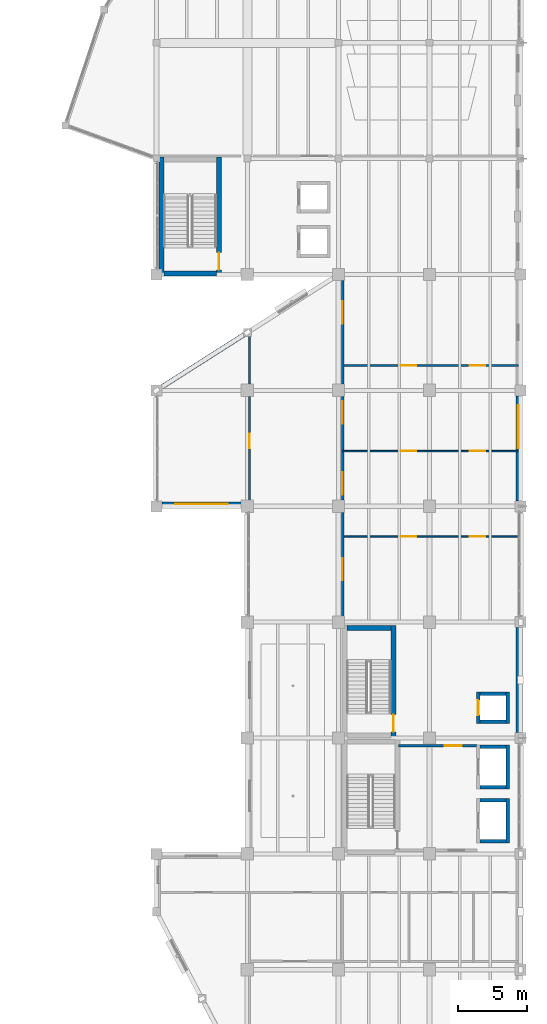
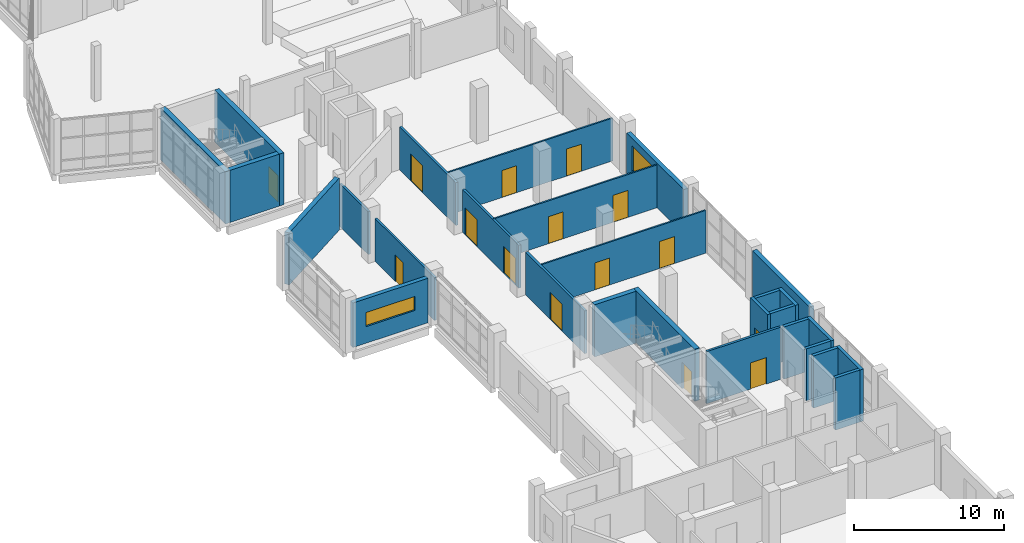
# One storey, part 52 of 76: 28 walls, 15 doors, 2 windows, 17 openings.
"""IFC4 building model written with IfcOpenShell, lengths in metres."""

import ifcopenshell
import ifcopenshell.guid

model = None  # the IFC model being written
_history = None  # IfcOwnerHistory: only IFC2X3 demands one
_inside = {}  # id of a spatial element -> (the spatial element, [elements in it])
_under = {}  # id of a project, library or spatial element -> (it, [spatial elements below it])
_declared = {}  # id of a project -> (the project, [libraries it declares])
_typed = {}  # id of a type object -> (the type object, [elements of that type])
_made_of = {}  # id of a material, layer set ... -> (it, [elements and type objects made of it])


def new_model(schema):
    """Start an empty IFC model of exactly this schema.

    Asked for "IFC4X3", IfcOpenShell would pick the latest addendum, in which some entities
    have other attributes; the version numbers below select the first issue.
    IFC2X3 requires an IfcOwnerHistory on every rooted entity: one is made here for all.
    """
    global model, _history
    if schema == "IFC4X3":
        model = ifcopenshell.file(schema_version=(4, 3, 0, 0))
    else:
        model = ifcopenshell.file(schema=schema)
    _inside.clear()
    _under.clear()
    _declared.clear()
    _typed.clear()
    _made_of.clear()
    _history = None
    if model.schema == "IFC2X3":
        org = make("IfcOrganization", Name="unknown")
        user = make(
            "IfcPersonAndOrganization",
            ThePerson=make("IfcPerson", FamilyName="unknown"),
            TheOrganization=org,
        )
        app = make(
            "IfcApplication",
            ApplicationDeveloper=org,
            Version="unknown",
            ApplicationFullName="unknown",
            ApplicationIdentifier="unknown",
        )
        _history = make(
            "IfcOwnerHistory",
            OwningUser=user,
            OwningApplication=app,
            ChangeAction="ADDED",
            CreationDate=0,
        )
    return model


def make(cls, **values):
    """One entity of the class cls with the attributes given. An attribute that is None is left unset."""
    return model.create_entity(
        cls, **{name: value for name, value in values.items() if value is not None}
    )


def rooted(cls, **values):
    """An entity with a GlobalId (a new one), such as an element, a storey or a relation."""
    return make(cls, GlobalId=ifcopenshell.guid.new(), OwnerHistory=_history, **values)


def si_unit(unit_type, name, prefix=None):
    """IfcSIUnit, for example si_unit("LENGTHUNIT", "METRE", prefix="MILLI")."""
    return make("IfcSIUnit", UnitType=unit_type, Prefix=prefix, Name=name)


def assignment(units):
    """IfcUnitAssignment: the units of a project."""
    return None if units is None else make("IfcUnitAssignment", Units=units)


def point(xyz):
    """IfcCartesianPoint."""
    return None if xyz is None else make("IfcCartesianPoint", Coordinates=xyz)


def direction(xyz):
    """IfcDirection."""
    return None if xyz is None else make("IfcDirection", DirectionRatios=xyz)


def frame(location, z_axis=None, x_axis=None):
    """IfcAxis2Placement3D, a coordinate frame: its origin and axes. An axis left out is left unset."""
    return make(
        "IfcAxis2Placement3D",
        Location=point(location),
        Axis=direction(z_axis),
        RefDirection=direction(x_axis),
    )


def frame_2d(location, x_axis=None):
    """IfcAxis2Placement2D, a coordinate frame in the plane: its origin and x axis."""
    return make(
        "IfcAxis2Placement2D", Location=point(location), RefDirection=direction(x_axis)
    )


def origin():
    """The frame at (0, 0, 0) with its axes left unset."""
    return frame((0.0, 0.0, 0.0))


def place(relative_to, where):
    """IfcLocalPlacement: puts the frame where relative to a parent placement (None: the world)."""
    return make(
        "IfcLocalPlacement", PlacementRelTo=relative_to, RelativePlacement=where
    )


def context(
    kind, dimensions, precision=None, world=None, true_north=None, identifier=None
):
    """IfcGeometricRepresentationContext, for example the 3D "Model" context."""
    return make(
        "IfcGeometricRepresentationContext",
        ContextIdentifier=identifier,
        ContextType=kind,
        CoordinateSpaceDimension=dimensions,
        Precision=precision,
        WorldCoordinateSystem=world,
        TrueNorth=true_north,
    )


def subcontext(parent, identifier, kind, view, scale=None):
    """IfcGeometricRepresentationSubContext, for example "Body" below "Model"."""
    return make(
        "IfcGeometricRepresentationSubContext",
        ContextIdentifier=identifier,
        ContextType=kind,
        ParentContext=parent,
        TargetScale=scale,
        TargetView=view,
    )


def project(units=None, contexts=None):
    """IfcProject with its units and contexts."""
    return rooted(
        "IfcProject",
        Name="project",
        RepresentationContexts=contexts,
        UnitsInContext=assignment(units),
    )


def spatial(cls, under=None, at=None, **own):
    """A site, building, storey or space (cls), placed at a placement, below another one or the project."""
    s = rooted(cls, ObjectPlacement=at, **own)
    if under is not None:
        _under.setdefault(under.id(), (under, []))[1].append(s)
    return s


def profile(cls, at=None, kind="AREA", **sizes):
    """A parametric profile (cls). Its sizes go by their IFC names, for example OverallWidth=200.0."""
    return make(cls, ProfileType=kind, Position=at, **sizes)


def rectangle(**sizes):
    """IfcRectangleProfileDef."""
    return profile("IfcRectangleProfileDef", **sizes)


def extrude(swept, where, along, depth):
    """IfcExtrudedAreaSolid: the profile swept, set in the frame where, extruded along a direction by depth."""
    return make(
        "IfcExtrudedAreaSolid",
        SweptArea=swept,
        Position=where,
        ExtrudedDirection=direction(along),
        Depth=depth,
    )


def shape(context_of_items, identifier, shape_type, items):
    """IfcShapeRepresentation: the items that make up one representation, for example the "Body"."""
    return make(
        "IfcShapeRepresentation",
        ContextOfItems=context_of_items,
        RepresentationIdentifier=identifier,
        RepresentationType=shape_type,
        Items=items,
    )


def material(Name=None, Category=None):
    """IfcMaterial."""
    return make("IfcMaterial", Name=Name, Category=Category)


def layer(
    of_material, thickness, ventilated=None, Name=None, Category=None, Priority=None
):
    """IfcMaterialLayer: one layer of a wall or slab, of a material (None: an air gap)."""
    return make(
        "IfcMaterialLayer",
        Material=of_material,
        LayerThickness=thickness,
        IsVentilated=ventilated,
        Name=Name,
        Category=Category,
        Priority=Priority,
    )


def layer_set(layers, Name=None):
    """IfcMaterialLayerSet."""
    return make("IfcMaterialLayerSet", MaterialLayers=layers, LayerSetName=Name)


def made_of(thing, what):
    """Note that an element or type object is made of a material, layer set ...; save() writes the relation."""
    if what is not None:
        _made_of.setdefault(what.id(), (what, []))[1].append(thing)
    return thing


def type_object(cls, material=None, **own):
    """A type object (cls), such as IfcWallType, which elements share."""
    return made_of(rooted(cls, **own), material)


def element(
    cls,
    number,
    at=None,
    inside=None,
    cuts=None,
    type_object=None,
    material=None,
    context=None,
    identifier="Body",
    shape_type=None,
    held_by="IfcProductDefinitionShape",
    body=None,
    shapes=None,
    **own,
):
    """One element of the class cls, such as IfcWall. Its Tag is "e" and its number.

    at: its placement. inside: the storey or other place that contains it. cuts: it is an
    opening in that element (IfcRelVoidsElement). A single representation is given by context,
    identifier, shape_type and body (its items); several are given by shapes. held_by: the class
    of the entity that holds the representations. save() writes the other relations.
    """
    e = rooted(cls, Tag="e%d" % number, ObjectPlacement=at, **own)
    if body is not None:
        shapes = [shape(context, identifier, shape_type, body)]
    if shapes is not None:
        e.Representation = make(held_by, Representations=shapes)
    if inside is not None:
        _inside.setdefault(inside.id(), (inside, []))[1].append(e)
    if cuts is not None:
        rooted(
            "IfcRelVoidsElement", RelatingBuildingElement=cuts, RelatedOpeningElement=e
        )
    if type_object is not None:
        _typed.setdefault(type_object.id(), (type_object, []))[1].append(e)
    return made_of(e, material)


def fill(opening, filler):
    """IfcRelFillsElement: the door or window that sits in an opening."""
    return rooted(
        "IfcRelFillsElement",
        RelatingOpeningElement=opening,
        RelatedBuildingElement=filler,
    )


def aggregate(whole, parts):
    """IfcRelAggregates: a whole, such as a stair, and the parts it consists of."""
    return rooted("IfcRelAggregates", RelatingObject=whole, RelatedObjects=parts)


def save(model, path):
    """Write the relations noted so far, then the file.

    IfcRelAggregates (storeys below a building ...), IfcRelContainedInSpatialStructure (elements
    in a storey), IfcRelDefinesByType, IfcRelAssociatesMaterial and IfcRelDeclares: one each for
    every whole, place, type object, material and project.
    """
    for whole, parts in _under.values():
        aggregate(whole, parts)
    for where, things in _inside.values():
        rooted(
            "IfcRelContainedInSpatialStructure",
            RelatedElements=things,
            RelatingStructure=where,
        )
    for kind, things in _typed.values():
        rooted("IfcRelDefinesByType", RelatedObjects=things, RelatingType=kind)
    for what, things in _made_of.values():
        rooted("IfcRelAssociatesMaterial", RelatedObjects=things, RelatingMaterial=what)
    for by, libraries in _declared.values():
        rooted("IfcRelDeclares", RelatingContext=by, RelatedDefinitions=libraries)
    model.write(path)


model = new_model("IFC4")

# Units and contexts
model_context = context("Model", 3, precision=1e-05, world=origin(), true_north=direction((0.0, 1.0)))
body_context = subcontext(model_context, "Body", "Model", "MODEL_VIEW")
ifc_project = project(units=[si_unit("LENGTHUNIT", "METRE"), si_unit("AREAUNIT", "SQUARE_METRE"), si_unit("VOLUMEUNIT", "CUBIC_METRE"), si_unit("PLANEANGLEUNIT", "RADIAN"), si_unit("MASSUNIT", "GRAM", prefix="KILO")], contexts=[model_context])

# Site, building, storey
site_placement = place(None, origin())
site = spatial("IfcSite", under=ifc_project, at=site_placement, CompositionType="ELEMENT")
building_placement = place(site_placement, origin())
building = spatial("IfcBuilding", under=site, at=building_placement, Name="Qaldarim Faculty of Natural and Applied Sciences", CompositionType="ELEMENT")
storey_placement = place(building_placement, frame((0.0, 0.0, 9.89990234375)))
storey = spatial("IfcBuildingStorey", under=building, at=storey_placement, Name="L02", CompositionType="ELEMENT", Elevation=9.89990234375)

# Wall, openings, doors
ifc_material_1 = material(Name="Painted gypsum partition board")
ifc_layer_1 = layer(ifc_material_1, 0.1201171875)
ifc_layer_set_1 = layer_set([ifc_layer_1], Name="Painted gypsum partition board")
wall_type_1 = type_object("IfcWallType", Name="AcousticPartition-120", PredefinedType="PARTITIONING", material=ifc_layer_set_1)
wall_1_placement = place(storey_placement, frame((165.300048828125, 39.800048828125, 0.0), z_axis=(0.0, 0.0, 1.0), x_axis=(1.0, 0.0, 0.0)))
wall_1 = element("IfcWall", 1, at=wall_1_placement, inside=storey, type_object=wall_type_1, Name="Interior partition PRT-L02-V5-SUB-1", PredefinedType="PARTITIONING", context=body_context, shape_type="SweptSolid", body=[
    extrude(rectangle(XDim=12.75, YDim=0.1201171875, at=frame_2d((6.375, 0.0))), origin(), (0.0, 0.0, 1.0), 3.489990234375),
])
opening_1_placement = place(wall_1_placement, frame((4.199951171875, 0.0, 0.0)))
opening_1 = element("IfcOpeningElement", 2, at=opening_1_placement, cuts=wall_1, Name="Opening ID09", PredefinedType="OPENING", context=body_context, shape_type="SweptSolid", body=[
    extrude(rectangle(XDim=1.14990234375, YDim=2.199951171875, at=frame_2d((0.574951171875, 1.10009765625))), frame((0.0, 0.070068359375, 0.0), z_axis=(0.0, -1.0, 0.0), x_axis=(1.0, 0.0, 0.0)), (0.0, 0.0, 1.0), 0.14013671875),
])
opening_2_placement = place(wall_1_placement, frame((9.199951171875, 0.0, 0.0)))
opening_2 = element("IfcOpeningElement", 3, at=opening_2_placement, cuts=wall_1, Name="Opening ID09", PredefinedType="OPENING", context=body_context, shape_type="SweptSolid", body=[
    extrude(rectangle(XDim=1.14990234375, YDim=2.199951171875, at=frame_2d((0.574951171875, 1.10009765625))), frame((0.0, 0.070068359375, 0.0), z_axis=(0.0, -1.0, 0.0), x_axis=(1.0, 0.0, 0.0)), (0.0, 0.0, 1.0), 0.14013671875),
])
ifc_material_2 = material(Name="Architectural stainless steel 316", Category="steel")
door_type_1 = type_object("IfcDoorType", Name="CleanroomAirlockDoor-1150x2200", OperationType="NOTDEFINED", PredefinedType="DOOR", material=ifc_material_2)
door_1_placement = place(opening_1_placement, origin())
door_1 = element("IfcDoor", 4, at=door_1_placement, inside=storey, type_object=door_type_1, Name="Interior door D-L02-320", OperationType="SINGLE_SWING_LEFT", OverallHeight=2.199951171875, OverallWidth=1.14990234375, PredefinedType="DOOR", context=body_context, shape_type="SweptSolid", body=[
    extrude(rectangle(XDim=1.14990234375, YDim=2.199951171875, at=frame_2d((0.574951171875, 1.10009765625))), frame((0.0, 0.02490234375, 0.0), z_axis=(0.0, -1.0, 0.0), x_axis=(1.0, 0.0, 0.0)), (0.0, 0.0, 1.0), 0.050048828125),
])
fill(opening_1, door_1)
door_2_placement = place(opening_2_placement, origin())
door_2 = element("IfcDoor", 5, at=door_2_placement, inside=storey, type_object=door_type_1, Name="Interior door D-L02-321", OperationType="SINGLE_SWING_RIGHT", OverallHeight=2.199951171875, OverallWidth=1.14990234375, PredefinedType="DOOR", context=body_context, shape_type="SweptSolid", body=[
    extrude(rectangle(XDim=1.14990234375, YDim=2.199951171875, at=frame_2d((0.574951171875, 1.10009765625))), frame((0.0, 0.02490234375, 0.0), z_axis=(0.0, -1.0, 0.0), x_axis=(1.0, 0.0, 0.0)), (0.0, 0.0, 1.0), 0.050048828125),
])
fill(opening_2, door_2)

wall_2_placement = place(storey_placement, frame((165.300048828125, 46.0, 0.0), z_axis=(0.0, 0.0, 1.0), x_axis=(1.0, 0.0, 0.0)))
wall_2 = element("IfcWall", 6, at=wall_2_placement, inside=storey, type_object=wall_type_1, Name="Interior partition PRT-L02-V5-SUB-2", PredefinedType="PARTITIONING", context=body_context, shape_type="SweptSolid", body=[
    extrude(rectangle(XDim=12.75, YDim=0.1201171875, at=frame_2d((6.375, 0.0))), origin(), (0.0, 0.0, 1.0), 3.489990234375),
])
opening_3_placement = place(wall_2_placement, frame((4.199951171875, 0.0, 0.0)))
opening_3 = element("IfcOpeningElement", 7, at=opening_3_placement, cuts=wall_2, Name="Opening ID09", PredefinedType="OPENING", context=body_context, shape_type="SweptSolid", body=[
    extrude(rectangle(XDim=1.14990234375, YDim=2.199951171875, at=frame_2d((0.574951171875, 1.10009765625))), frame((0.0, 0.070068359375, 0.0), z_axis=(0.0, -1.0, 0.0), x_axis=(1.0, 0.0, 0.0)), (0.0, 0.0, 1.0), 0.14013671875),
])
opening_4_placement = place(wall_2_placement, frame((9.199951171875, 0.0, 0.0)))
opening_4 = element("IfcOpeningElement", 8, at=opening_4_placement, cuts=wall_2, Name="Opening ID09", PredefinedType="OPENING", context=body_context, shape_type="SweptSolid", body=[
    extrude(rectangle(XDim=1.14990234375, YDim=2.199951171875, at=frame_2d((0.574951171875, 1.10009765625))), frame((0.0, 0.070068359375, 0.0), z_axis=(0.0, -1.0, 0.0), x_axis=(1.0, 0.0, 0.0)), (0.0, 0.0, 1.0), 0.14013671875),
])
door_3_placement = place(opening_3_placement, origin())
door_3 = element("IfcDoor", 9, at=door_3_placement, inside=storey, type_object=door_type_1, Name="Interior door D-L02-322", OperationType="SINGLE_SWING_LEFT", OverallHeight=2.199951171875, OverallWidth=1.14990234375, PredefinedType="DOOR", context=body_context, shape_type="SweptSolid", body=[
    extrude(rectangle(XDim=1.14990234375, YDim=2.199951171875, at=frame_2d((0.574951171875, 1.10009765625))), frame((0.0, 0.02490234375, 0.0), z_axis=(0.0, -1.0, 0.0), x_axis=(1.0, 0.0, 0.0)), (0.0, 0.0, 1.0), 0.050048828125),
])
fill(opening_3, door_3)
door_4_placement = place(opening_4_placement, origin())
door_4 = element("IfcDoor", 10, at=door_4_placement, inside=storey, type_object=door_type_1, Name="Interior door D-L02-323", OperationType="SINGLE_SWING_RIGHT", OverallHeight=2.199951171875, OverallWidth=1.14990234375, PredefinedType="DOOR", context=body_context, shape_type="SweptSolid", body=[
    extrude(rectangle(XDim=1.14990234375, YDim=2.199951171875, at=frame_2d((0.574951171875, 1.10009765625))), frame((0.0, 0.02490234375, 0.0), z_axis=(0.0, -1.0, 0.0), x_axis=(1.0, 0.0, 0.0)), (0.0, 0.0, 1.0), 0.050048828125),
])
fill(opening_4, door_4)

wall_3_placement = place(storey_placement, frame((165.300048828125, 52.199951171875, 0.0), z_axis=(0.0, 0.0, 1.0), x_axis=(1.0, 0.0, 0.0)))
wall_3 = element("IfcWall", 11, at=wall_3_placement, inside=storey, type_object=wall_type_1, Name="Interior partition PRT-L02-V5-SUB-3", PredefinedType="PARTITIONING", context=body_context, shape_type="SweptSolid", body=[
    extrude(rectangle(XDim=12.75, YDim=0.1201171875, at=frame_2d((6.375, 0.0))), origin(), (0.0, 0.0, 1.0), 3.489990234375),
])
opening_5_placement = place(wall_3_placement, frame((4.199951171875, 0.0, 0.0)))
opening_5 = element("IfcOpeningElement", 12, at=opening_5_placement, cuts=wall_3, Name="Opening ID09", PredefinedType="OPENING", context=body_context, shape_type="SweptSolid", body=[
    extrude(rectangle(XDim=1.14990234375, YDim=2.199951171875, at=frame_2d((0.574951171875, 1.10009765625))), frame((0.0, 0.070068359375, 0.0), z_axis=(0.0, -1.0, 0.0), x_axis=(1.0, 0.0, 0.0)), (0.0, 0.0, 1.0), 0.14013671875),
])
opening_6_placement = place(wall_3_placement, frame((9.199951171875, 0.0, 0.0)))
opening_6 = element("IfcOpeningElement", 13, at=opening_6_placement, cuts=wall_3, Name="Opening ID09", PredefinedType="OPENING", context=body_context, shape_type="SweptSolid", body=[
    extrude(rectangle(XDim=1.14990234375, YDim=2.199951171875, at=frame_2d((0.574951171875, 1.10009765625))), frame((0.0, 0.070068359375, 0.0), z_axis=(0.0, -1.0, 0.0), x_axis=(1.0, 0.0, 0.0)), (0.0, 0.0, 1.0), 0.14013671875),
])
door_5_placement = place(opening_5_placement, origin())
door_5 = element("IfcDoor", 14, at=door_5_placement, inside=storey, type_object=door_type_1, Name="Interior door D-L02-324", OperationType="SINGLE_SWING_LEFT", OverallHeight=2.199951171875, OverallWidth=1.14990234375, PredefinedType="DOOR", context=body_context, shape_type="SweptSolid", body=[
    extrude(rectangle(XDim=1.14990234375, YDim=2.199951171875, at=frame_2d((0.574951171875, 1.10009765625))), frame((0.0, 0.02490234375, 0.0), z_axis=(0.0, -1.0, 0.0), x_axis=(1.0, 0.0, 0.0)), (0.0, 0.0, 1.0), 0.050048828125),
])
fill(opening_5, door_5)
door_6_placement = place(opening_6_placement, origin())
door_6 = element("IfcDoor", 15, at=door_6_placement, inside=storey, type_object=door_type_1, Name="Interior door D-L02-325", OperationType="SINGLE_SWING_RIGHT", OverallHeight=2.199951171875, OverallWidth=1.14990234375, PredefinedType="DOOR", context=body_context, shape_type="SweptSolid", body=[
    extrude(rectangle(XDim=1.14990234375, YDim=2.199951171875, at=frame_2d((0.574951171875, 1.10009765625))), frame((0.0, 0.02490234375, 0.0), z_axis=(0.0, -1.0, 0.0), x_axis=(1.0, 0.0, 0.0)), (0.0, 0.0, 1.0), 0.050048828125),
])
fill(opening_6, door_6)

# Wall, opening, door
ifc_material_3 = material(Name="Concrete C50/60", Category="concrete")
ifc_layer_2 = layer(ifc_material_3, 0.360107421875)
ifc_layer_set_2 = layer_set([ifc_layer_2], Name="Concrete C50/60")
wall_type_2 = type_object("IfcWallType", Name="CoreShearWall-360", PredefinedType="SHEAR", material=ifc_layer_set_2)
wall_4_placement = place(storey_placement, frame((168.97998046875, 25.18994140625, 0.0), z_axis=(0.0, 0.0, 1.0), x_axis=(0.0, 1.0, 0.0)))
wall_4 = element("IfcWall", 16, at=wall_4_placement, inside=storey, type_object=wall_type_2, Name="Core stair ST-A2 east shear wall L02", PredefinedType="SHEAR", context=body_context, shape_type="SweptSolid", body=[
    extrude(rectangle(XDim=8.170166015625, YDim=0.360107421875, at=frame_2d((4.0849609375, 0.0))), origin(), (0.0, 0.0, 1.0), 4.239990234375),
])
opening_7_placement = place(wall_4_placement, frame((0.449951171875, 0.0, 0.0)))
opening_7 = element("IfcOpeningElement", 17, at=opening_7_placement, cuts=wall_4, Name="Opening ID04", PredefinedType="OPENING", context=body_context, shape_type="SweptSolid", body=[
    extrude(rectangle(XDim=1.25, YDim=2.14990234375, at=frame_2d((0.625, 1.074951171875))), frame((0.0, 0.18994140625, 0.0), z_axis=(0.0, -1.0, 0.0), x_axis=(1.0, 0.0, 0.0)), (0.0, 0.0, 1.0), 0.380126953125),
])
door_type_2 = type_object("IfcDoorType", Name="StairEnclosureFireDoor-1250x2150", OperationType="NOTDEFINED", PredefinedType="DOOR", material=ifc_material_2)
door_7_placement = place(opening_7_placement, origin())
door_7 = element("IfcDoor", 18, at=door_7_placement, inside=storey, type_object=door_type_2, Name="Protected stair ST-A2 fire door D-L02-516", OperationType="SINGLE_SWING_RIGHT", OverallHeight=2.14990234375, OverallWidth=1.25, PredefinedType="DOOR", context=body_context, shape_type="SweptSolid", body=[
    extrude(rectangle(XDim=1.25, YDim=2.14990234375, at=frame_2d((0.625, 1.074951171875))), frame((0.0, 0.02490234375, 0.0), z_axis=(0.0, -1.0, 0.0), x_axis=(1.0, 0.0, 0.0)), (0.0, 0.0, 1.0), 0.050048828125),
])
fill(opening_7, door_7)

# Walls
wall_5_placement = place(storey_placement, frame((165.60009765625, 33.179931640625, 0.0), z_axis=(0.0, 0.0, 1.0), x_axis=(1.0, 0.0, 0.0)))
element("IfcWall", 19, at=wall_5_placement, inside=storey, type_object=wall_type_2, Name="Core stair ST-A2 north shear wall L02", PredefinedType="SHEAR", context=body_context, shape_type="SweptSolid", body=[
    extrude(rectangle(XDim=3.199951171875, YDim=0.360107421875, at=frame_2d((1.60009765625, 0.0))), origin(), (0.0, 0.0, 1.0), 4.239990234375),
])
wall_6_placement = place(storey_placement, frame((152.169921875, 58.68994140625, 0.0), z_axis=(0.0, 0.0, 1.0), x_axis=(0.0, 1.0, 0.0)))
element("IfcWall", 20, at=wall_6_placement, inside=storey, type_object=wall_type_2, Name="Core stair ST-C1 west shear wall L02", PredefinedType="SHEAR", context=body_context, shape_type="SweptSolid", body=[
    extrude(rectangle(XDim=8.6201171875, YDim=0.360107421875, at=frame_2d((4.31005859375, 0.0))), origin(), (0.0, 0.0, 1.0), 4.239990234375),
])

# Wall, opening, door
wall_7_placement = place(storey_placement, frame((156.330078125, 58.68994140625, 0.0), z_axis=(0.0, 0.0, 1.0), x_axis=(0.0, 1.0, 0.0)))
wall_7 = element("IfcWall", 21, at=wall_7_placement, inside=storey, type_object=wall_type_2, Name="Core stair ST-C1 east shear wall L02", PredefinedType="SHEAR", context=body_context, shape_type="SweptSolid", body=[
    extrude(rectangle(XDim=8.6201171875, YDim=0.360107421875, at=frame_2d((4.31005859375, 0.0))), origin(), (0.0, 0.0, 1.0), 4.239990234375),
])
opening_8_placement = place(wall_7_placement, frame((0.449951171875, 0.0, 0.0)))
opening_8 = element("IfcOpeningElement", 22, at=opening_8_placement, cuts=wall_7, Name="Opening ID04", PredefinedType="OPENING", context=body_context, shape_type="SweptSolid", body=[
    extrude(rectangle(XDim=1.25, YDim=2.14990234375, at=frame_2d((0.625, 1.074951171875))), frame((0.0, 0.18994140625, 0.0), z_axis=(0.0, -1.0, 0.0), x_axis=(1.0, 0.0, 0.0)), (0.0, 0.0, 1.0), 0.380126953125),
])
door_8_placement = place(opening_8_placement, origin())
door_8 = element("IfcDoor", 23, at=door_8_placement, inside=storey, type_object=door_type_2, Name="Protected stair ST-C1 fire door D-L02-541", OperationType="SINGLE_SWING_RIGHT", OverallHeight=2.14990234375, OverallWidth=1.25, PredefinedType="DOOR", context=body_context, shape_type="SweptSolid", body=[
    extrude(rectangle(XDim=1.25, YDim=2.14990234375, at=frame_2d((0.625, 1.074951171875))), frame((0.0, 0.02490234375, 0.0), z_axis=(0.0, -1.0, 0.0), x_axis=(1.0, 0.0, 0.0)), (0.0, 0.0, 1.0), 0.050048828125),
])
fill(opening_8, door_8)

# Wall
wall_8_placement = place(storey_placement, frame((152.35009765625, 58.8701171875, 0.0), z_axis=(0.0, 0.0, 1.0), x_axis=(1.0, 0.0, 0.0)))
element("IfcWall", 24, at=wall_8_placement, inside=storey, type_object=wall_type_2, Name="Core stair ST-C1 south shear wall L02", PredefinedType="SHEAR", context=body_context, shape_type="SweptSolid", body=[
    extrude(rectangle(XDim=3.7998046875, YDim=0.360107421875, at=frame_2d((1.89990234375, 0.0))), origin(), (0.0, 0.0, 1.0), 4.239990234375),
])

# Wall, opening, window
ifc_material_4 = material(Name="Precast concrete C40/50", Category="concrete")
ifc_layer_3 = layer(ifc_material_4, 0.320068359375)
ifc_layer_set_3 = layer_set([ifc_layer_3], Name="Precast concrete C40/50")
wall_type_3 = type_object("IfcWallType", Name="ExteriorLimestoneWall-320", PredefinedType="SOLIDWALL", material=ifc_layer_set_3)
wall_9_placement = place(storey_placement, frame((152.195068359375, 42.159912109375, 0.0), z_axis=(0.0, 0.0, 1.0), x_axis=(1.0, 0.0, 0.0)))
wall_9 = element("IfcWall", 25, at=wall_9_placement, inside=storey, type_object=wall_type_3, Name="Exterior wall EW01 L02 S X24Y06", PredefinedType="SOLIDWALL", context=body_context, shape_type="SweptSolid", body=[
    extrude(rectangle(XDim=5.760009765625, YDim=0.320068359375, at=frame_2d((2.8798828125, 0.0))), origin(), (0.0, 0.0, 1.0), 3.625),
])
opening_9_placement = place(wall_9_placement, frame((0.97998046875, 0.0, 1.35009765625)))
opening_9 = element("IfcOpeningElement", 26, at=opening_9_placement, cuts=wall_9, Name="Opening WN24", PredefinedType="OPENING", context=body_context, shape_type="SweptSolid", body=[
    extrude(rectangle(XDim=3.800048828125, YDim=1.14990234375, at=frame_2d((1.89990234375, 0.574951171875))), frame((0.0, 0.169921875, 0.0), z_axis=(0.0, -1.0, 0.0), x_axis=(1.0, 0.0, 0.0)), (0.0, 0.0, 1.0), 0.340087890625),
])
ifc_material_5 = material(Name="Insulated low-e double glazing", Category="glass")
window_type_1 = type_object("IfcWindowType", Name="ClerestoryWindow-3800x1150", PartitioningType="TRIPLE_PANEL_HORIZONTAL", PredefinedType="WINDOW", material=ifc_material_5)
window_1_placement = place(opening_9_placement, origin())
window_1 = element("IfcWindow", 27, at=window_1_placement, inside=storey, type_object=window_type_1, Name="Facade window WN24 L02 S X24Y06", OverallHeight=1.14990234375, OverallWidth=3.800048828125, PartitioningType="SINGLE_PANEL", PredefinedType="WINDOW", context=body_context, shape_type="SweptSolid", body=[
    extrude(rectangle(XDim=3.800048828125, YDim=1.14990234375, at=frame_2d((1.89990234375, 0.574951171875))), frame((0.0, 0.030029296875, 0.0), z_axis=(0.0, -1.0, 0.0), x_axis=(1.0, 0.0, 0.0)), (0.0, 0.0, 1.0), 0.06005859375),
])
fill(opening_9, window_1)

wall_10_placement = place(storey_placement, frame((178.0400390625, 42.39501953125, 0.0), z_axis=(0.0, 0.0, 1.0), x_axis=(0.0, 1.0, 0.0)))
wall_10 = element("IfcWall", 28, at=wall_10_placement, inside=storey, type_object=wall_type_3, Name="Exterior wall EW01 L02 E X27Y06", PredefinedType="SOLIDWALL", context=body_context, shape_type="SweptSolid", body=[
    extrude(rectangle(XDim=7.60986328125, YDim=0.320068359375, at=frame_2d((3.804931640625, 0.0))), origin(), (0.0, 0.0, 1.0), 3.625),
])
opening_10_placement = place(wall_10_placement, frame((3.824951171875, 0.0, 0.949951171875)))
opening_10 = element("IfcOpeningElement", 29, at=opening_10_placement, cuts=wall_10, Name="Opening WN30", PredefinedType="OPENING", context=body_context, shape_type="SweptSolid", body=[
    extrude(rectangle(XDim=3.10009765625, YDim=2.050048828125, at=frame_2d((1.550048828125, 1.02490234375))), frame((0.0, 0.169921875, 0.0), z_axis=(0.0, -1.0, 0.0), x_axis=(1.0, 0.0, 0.0)), (0.0, 0.0, 1.0), 0.340087890625),
])
window_type_2 = type_object("IfcWindowType", Name="GalleryWindow-3100x2050", PartitioningType="TRIPLE_PANEL_VERTICAL", PredefinedType="WINDOW", material=ifc_material_5)
window_2_placement = place(opening_10_placement, origin())
window_2 = element("IfcWindow", 30, at=window_2_placement, inside=storey, type_object=window_type_2, Name="Facade window WN30 L02 E X27Y06", OverallHeight=2.050048828125, OverallWidth=3.10009765625, PartitioningType="SINGLE_PANEL", PredefinedType="WINDOW", context=body_context, shape_type="SweptSolid", body=[
    extrude(rectangle(XDim=3.10009765625, YDim=2.050048828125, at=frame_2d((1.550048828125, 1.02490234375))), frame((0.0, 0.030029296875, 0.0), z_axis=(0.0, -1.0, 0.0), x_axis=(1.0, 0.0, 0.0)), (0.0, 0.0, 1.0), 0.06005859375),
])
fill(opening_10, window_2)

# Walls
ifc_layer_4 = layer(ifc_material_3, 0.340087890625)
ifc_layer_set_4 = layer_set([ifc_layer_4], Name="Concrete C50/60")
wall_type_4 = type_object("IfcWallType", Name="ExteriorStairShearWall-340", PredefinedType="SHEAR", material=ifc_layer_set_4)
wall_11_placement = place(storey_placement, frame((178.030029296875, 25.594970703125, 0.0), z_axis=(0.0, 0.0, 1.0), x_axis=(0.0, 1.0, 0.0)))
element("IfcWall", 31, at=wall_11_placement, inside=storey, type_object=wall_type_4, Name="Exterior wall EW05 L02 E X27Y04", PredefinedType="SHEAR", context=body_context, shape_type="SweptSolid", body=[
    extrude(rectangle(XDim=7.610107421875, YDim=0.340087890625, at=frame_2d((3.80517578125, 0.0))), origin(), (0.0, 0.0, 1.0), 4.239990234375),
])
wall_12_placement = place(storey_placement, frame((152.050048828125, 50.56005859375, 0.0), z_axis=(0.0, 0.0, 1.0), x_axis=(0.843776886751, 0.536694107835, 0.0)))
element("IfcWall", 32, at=wall_12_placement, inside=storey, type_object=wall_type_4, Name="Oblique NW chamfer braced wall L02 1", PredefinedType="SHEAR", context=body_context, shape_type="SweptSolid", body=[
    extrude(rectangle(XDim=7.229248046875, YDim=0.340087890625, at=frame_2d((3.61474609375, 0.0))), origin(), (0.0, 0.0, 1.0), 4.239990234375),
])

# Wall, opening, door
ifc_material_6 = material(Name="Concrete C40/50", Category="concrete")
ifc_layer_5 = layer(ifc_material_6, 0.159912109375)
ifc_layer_set_5 = layer_set([ifc_layer_5], Name="Concrete C40/50")
wall_type_5 = type_object("IfcWallType", Name="FireCorridorWall-160", PredefinedType="PARTITIONING", material=ifc_layer_set_5)
wall_13_placement = place(storey_placement, frame((158.550048828125, 42.0, 0.0), z_axis=(0.0, 0.0, 1.0), x_axis=(0.0, 1.0, 0.0)))
wall_13 = element("IfcWall", 33, at=wall_13_placement, inside=storey, type_object=wall_type_5, Name="Interior partition PRT-L02-V5-NWSE-S1", PredefinedType="PARTITIONING", context=body_context, shape_type="SweptSolid", body=[
    extrude(rectangle(XDim=7.949951171875, YDim=0.159912109375, at=frame_2d((3.97509765625, 0.0))), origin(), (0.0, 0.0, 1.0), 3.489990234375),
])
opening_11_placement = place(wall_13_placement, frame((4.199951171875, 0.0, 0.0)))
opening_11 = element("IfcOpeningElement", 34, at=opening_11_placement, cuts=wall_13, Name="Opening ID02", PredefinedType="OPENING", context=body_context, shape_type="SweptSolid", body=[
    extrude(rectangle(XDim=1.050048828125, YDim=2.14990234375, at=frame_2d((0.52490234375, 1.074951171875))), frame((0.0, 0.08984375, 0.0), z_axis=(0.0, -1.0, 0.0), x_axis=(1.0, 0.0, 0.0)), (0.0, 0.0, 1.0), 0.179931640625),
])
ifc_material_7 = material(Name="Oak hardwood", Category="wood")
door_type_3 = type_object("IfcDoorType", Name="AccessibleRoomDoor-1050x2150", OperationType="NOTDEFINED", PredefinedType="DOOR", material=ifc_material_7)
door_9_placement = place(opening_11_placement, origin())
door_9 = element("IfcDoor", 35, at=door_9_placement, inside=storey, type_object=door_type_3, Name="Interior door D-L02-395", OperationType="SINGLE_SWING_LEFT", OverallHeight=2.14990234375, OverallWidth=1.050048828125, PredefinedType="DOOR", context=body_context, shape_type="SweptSolid", body=[
    extrude(rectangle(XDim=1.050048828125, YDim=2.14990234375, at=frame_2d((0.52490234375, 1.074951171875))), frame((0.0, 0.02490234375, 0.0), z_axis=(0.0, -1.0, 0.0), x_axis=(1.0, 0.0, 0.0)), (0.0, 0.0, 1.0), 0.050048828125),
])
fill(opening_11, door_9)

# Wall
wall_14_placement = place(storey_placement, frame((158.550048828125, 50.85009765625, 0.0), z_axis=(0.0, 0.0, 1.0), x_axis=(0.0, 1.0, 0.0)))
element("IfcWall", 36, at=wall_14_placement, inside=storey, type_object=wall_type_5, Name="Interior partition PRT-L02-V5-NWSE-S2", PredefinedType="PARTITIONING", context=body_context, shape_type="SweptSolid", body=[
    extrude(rectangle(XDim=3.7998046875, YDim=0.159912109375, at=frame_2d((1.89990234375, 0.0))), origin(), (0.0, 0.0, 1.0), 3.489990234375),
])

# Wall, opening, door
ifc_layer_6 = layer(ifc_material_6, 0.179931640625)
ifc_layer_set_6 = layer_set([ifc_layer_6], Name="Concrete C40/50")
wall_type_6 = type_object("IfcWallType", Name="LabFireCompartmentWall-180", PredefinedType="SOLIDWALL", material=ifc_layer_set_6)
wall_15_placement = place(storey_placement, frame((165.300048828125, 33.64990234375, 0.0), z_axis=(0.0, 0.0, 1.0), x_axis=(0.0, 1.0, 0.0)))
wall_15 = element("IfcWall", 37, at=wall_15_placement, inside=storey, type_object=wall_type_6, Name="Interior partition PRT-L02-V5-CHMW-S1", PredefinedType="SOLIDWALL", context=body_context, shape_type="SweptSolid", body=[
    extrude(rectangle(XDim=7.900146484375, YDim=0.179931640625, at=frame_2d((3.9501953125, 0.0))), origin(), (0.0, 0.0, 1.0), 3.489990234375),
])
opening_12_placement = place(wall_15_placement, frame((3.0, 0.0, 0.0)))
opening_12 = element("IfcOpeningElement", 38, at=opening_12_placement, cuts=wall_15, Name="Opening ID06", PredefinedType="OPENING", context=body_context, shape_type="SweptSolid", body=[
    extrude(rectangle(XDim=1.60009765625, YDim=2.199951171875, at=frame_2d((0.800048828125, 1.10009765625))), frame((0.0, 0.099853515625, 0.0), z_axis=(0.0, -1.0, 0.0), x_axis=(1.0, 0.0, 0.0)), (0.0, 0.0, 1.0), 0.199951171875),
])
door_type_4 = type_object("IfcDoorType", Name="LabEquipmentDoubleDoor-1600x2200", OperationType="NOTDEFINED", PredefinedType="DOOR", material=ifc_material_2)
door_10_placement = place(opening_12_placement, origin())
door_10 = element("IfcDoor", 39, at=door_10_placement, inside=storey, type_object=door_type_4, Name="Interior door D-L02-223", OperationType="DOUBLE_DOOR_SINGLE_SWING", OverallHeight=2.199951171875, OverallWidth=1.60009765625, PredefinedType="DOOR", context=body_context, shape_type="SweptSolid", body=[
    extrude(rectangle(XDim=1.60009765625, YDim=2.199951171875, at=frame_2d((0.800048828125, 1.10009765625))), frame((0.0, 0.02490234375, 0.0), z_axis=(0.0, -1.0, 0.0), x_axis=(1.0, 0.0, 0.0)), (0.0, 0.0, 1.0), 0.050048828125),
])
fill(opening_12, door_10)

# Wall, openings, doors
wall_16_placement = place(storey_placement, frame((165.300048828125, 42.449951171875, 0.0), z_axis=(0.0, 0.0, 1.0), x_axis=(0.0, 1.0, 0.0)))
wall_16 = element("IfcWall", 40, at=wall_16_placement, inside=storey, type_object=wall_type_6, Name="Interior partition PRT-L02-V5-CHMW-S2", PredefinedType="SOLIDWALL", context=body_context, shape_type="SweptSolid", body=[
    extrude(rectangle(XDim=7.5, YDim=0.179931640625, at=frame_2d((3.75, 0.0))), origin(), (0.0, 0.0, 1.0), 3.489990234375),
])
opening_13_placement = place(wall_16_placement, frame((0.39990234375, 0.0, 0.0)))
opening_13 = element("IfcOpeningElement", 41, at=opening_13_placement, cuts=wall_16, Name="Opening ID06", PredefinedType="OPENING", context=body_context, shape_type="SweptSolid", body=[
    extrude(rectangle(XDim=1.60009765625, YDim=2.199951171875, at=frame_2d((0.800048828125, 1.10009765625))), frame((0.0, 0.099853515625, 0.0), z_axis=(0.0, -1.0, 0.0), x_axis=(1.0, 0.0, 0.0)), (0.0, 0.0, 1.0), 0.199951171875),
])
opening_14_placement = place(wall_16_placement, frame((5.550048828125, 0.0, 0.0)))
opening_14 = element("IfcOpeningElement", 42, at=opening_14_placement, cuts=wall_16, Name="Opening ID06", PredefinedType="OPENING", context=body_context, shape_type="SweptSolid", body=[
    extrude(rectangle(XDim=1.60009765625, YDim=2.199951171875, at=frame_2d((0.800048828125, 1.10009765625))), frame((0.0, 0.099853515625, 0.0), z_axis=(0.0, -1.0, 0.0), x_axis=(1.0, 0.0, 0.0)), (0.0, 0.0, 1.0), 0.199951171875),
])
door_11_placement = place(opening_13_placement, origin())
door_11 = element("IfcDoor", 43, at=door_11_placement, inside=storey, type_object=door_type_4, Name="Interior door D-L02-224", OperationType="DOUBLE_DOOR_SINGLE_SWING", OverallHeight=2.199951171875, OverallWidth=1.60009765625, PredefinedType="DOOR", context=body_context, shape_type="SweptSolid", body=[
    extrude(rectangle(XDim=1.60009765625, YDim=2.199951171875, at=frame_2d((0.800048828125, 1.10009765625))), frame((0.0, 0.02490234375, 0.0), z_axis=(0.0, -1.0, 0.0), x_axis=(1.0, 0.0, 0.0)), (0.0, 0.0, 1.0), 0.050048828125),
])
fill(opening_13, door_11)
door_12_placement = place(opening_14_placement, origin())
door_12 = element("IfcDoor", 44, at=door_12_placement, inside=storey, type_object=door_type_4, Name="Interior door D-L02-225", OperationType="DOUBLE_DOOR_SINGLE_SWING", OverallHeight=2.199951171875, OverallWidth=1.60009765625, PredefinedType="DOOR", context=body_context, shape_type="SweptSolid", body=[
    extrude(rectangle(XDim=1.60009765625, YDim=2.199951171875, at=frame_2d((0.800048828125, 1.10009765625))), frame((0.0, 0.02490234375, 0.0), z_axis=(0.0, -1.0, 0.0), x_axis=(1.0, 0.0, 0.0)), (0.0, 0.0, 1.0), 0.050048828125),
])
fill(opening_14, door_12)

# Wall, opening, door
wall_17_placement = place(storey_placement, frame((165.300048828125, 50.85009765625, 0.0), z_axis=(0.0, 0.0, 1.0), x_axis=(0.0, 1.0, 0.0)))
wall_17 = element("IfcWall", 45, at=wall_17_placement, inside=storey, type_object=wall_type_6, Name="Interior partition PRT-L02-V5-CHMW-S3", PredefinedType="SOLIDWALL", context=body_context, shape_type="SweptSolid", body=[
    extrude(rectangle(XDim=7.52978515625, YDim=0.179931640625, at=frame_2d((3.764892578125, 0.0))), origin(), (0.0, 0.0, 1.0), 3.489990234375),
])
opening_15_placement = place(wall_17_placement, frame((4.39990234375, 0.0, 0.0)))
opening_15 = element("IfcOpeningElement", 46, at=opening_15_placement, cuts=wall_17, Name="Opening ID06", PredefinedType="OPENING", context=body_context, shape_type="SweptSolid", body=[
    extrude(rectangle(XDim=1.60009765625, YDim=2.199951171875, at=frame_2d((0.800048828125, 1.10009765625))), frame((0.0, 0.099853515625, 0.0), z_axis=(0.0, -1.0, 0.0), x_axis=(1.0, 0.0, 0.0)), (0.0, 0.0, 1.0), 0.199951171875),
])
door_13_placement = place(opening_15_placement, origin())
door_13 = element("IfcDoor", 47, at=door_13_placement, inside=storey, type_object=door_type_4, Name="Interior door D-L02-226", OperationType="DOUBLE_DOOR_SINGLE_SWING", OverallHeight=2.199951171875, OverallWidth=1.60009765625, PredefinedType="DOOR", context=body_context, shape_type="SweptSolid", body=[
    extrude(rectangle(XDim=1.60009765625, YDim=2.199951171875, at=frame_2d((0.800048828125, 1.10009765625))), frame((0.0, 0.02490234375, 0.0), z_axis=(0.0, -1.0, 0.0), x_axis=(1.0, 0.0, 0.0)), (0.0, 0.0, 1.0), 0.050048828125),
])
fill(opening_15, door_13)

wall_18_placement = place(storey_placement, frame((169.35009765625, 24.639892578125, 0.0), z_axis=(0.0, 0.0, 1.0), x_axis=(1.0, 0.0, 0.0)))
wall_18 = element("IfcWall", 48, at=wall_18_placement, inside=storey, type_object=wall_type_6, Name="Fire-fighting lobby compartment wall Core A L02", PredefinedType="SOLIDWALL", context=body_context, shape_type="SweptSolid", body=[
    extrude(rectangle(XDim=5.699951171875, YDim=0.179931640625, at=frame_2d((2.85009765625, 0.0))), origin(), (0.0, 0.0, 1.0), 4.239990234375),
])
opening_16_placement = place(wall_18_placement, frame((3.35009765625, 0.0, 0.0)))
opening_16 = element("IfcOpeningElement", 49, at=opening_16_placement, cuts=wall_18, Name="Opening ID04", PredefinedType="OPENING", context=body_context, shape_type="SweptSolid", body=[
    extrude(rectangle(XDim=1.25, YDim=2.14990234375, at=frame_2d((0.625, 1.074951171875))), frame((0.0, 0.099853515625, 0.0), z_axis=(0.0, -1.0, 0.0), x_axis=(1.0, 0.0, 0.0)), (0.0, 0.0, 1.0), 0.199951171875),
])
door_14_placement = place(opening_16_placement, frame((1.25, 0.0, 0.0), z_axis=(0.0, 0.0, 1.0), x_axis=(-1.0, 0.0, 0.0)))
door_14 = element("IfcDoor", 50, at=door_14_placement, inside=storey, type_object=door_type_2, Name="Fire-fighting lobby door Core A D-L02-602", OperationType="SINGLE_SWING_RIGHT", OverallHeight=2.14990234375, OverallWidth=1.25, PredefinedType="DOOR", context=body_context, shape_type="SweptSolid", body=[
    extrude(rectangle(XDim=1.25, YDim=2.14990234375, at=frame_2d((0.625, 1.074951171875))), frame((0.0, 0.02490234375, 0.0), z_axis=(0.0, -1.0, 0.0), x_axis=(1.0, 0.0, 0.0)), (0.0, 0.0, 1.0), 0.050048828125),
])
fill(opening_16, door_14)

# Walls
ifc_layer_7 = layer(ifc_material_6, 0.25)
ifc_layer_set_7 = layer_set([ifc_layer_7], Name="Concrete C40/50")
wall_type_7 = type_object("IfcWallType", Name="LiftShaftWall-250", PredefinedType="SHEAR", material=ifc_layer_set_7)
wall_19_placement = place(storey_placement, frame((177.27490234375, 17.60009765625, 0.0), z_axis=(0.0, 0.0, 1.0), x_axis=(0.0, 1.0, 0.0)))
element("IfcWall", 51, at=wall_19_placement, inside=storey, type_object=wall_type_7, Name="Lift LF-A1 rear shaft wall L02", PredefinedType="SHEAR", context=body_context, shape_type="SweptSolid", body=[
    extrude(rectangle(XDim=3.199951171875, YDim=0.25, at=frame_2d((1.60009765625, 0.0))), origin(), (0.0, 0.0, 1.0), 4.239990234375),
])
for number, where, z_axis, x_axis, name in (
    (52, (175.25, 17.72509765625, 0.0), (0.0, 0.0, 1.0), (1.0, 0.0, 0.0), "Lift LF-A1 south shaft wall L02"),
    (53, (175.25, 20.675048828125, 0.0), (0.0, 0.0, 1.0), (1.0, 0.0, 0.0), "Lift LF-A1 north shaft wall L02"),
):
    element("IfcWall", number, at=place(storey_placement, frame(where, z_axis=z_axis, x_axis=x_axis)), inside=storey, type_object=wall_type_7, Name=name, PredefinedType="SHEAR", context=body_context, shape_type="SweptSolid", body=[
        extrude(rectangle(XDim=1.89990234375, YDim=0.25, at=frame_2d((0.949951171875, 0.0))), origin(), (0.0, 0.0, 1.0), 4.239990234375),
    ])
wall_20_placement = place(storey_placement, frame((177.27490234375, 21.5, 0.0), z_axis=(0.0, 0.0, 1.0), x_axis=(0.0, 1.0, 0.0)))
element("IfcWall", 54, at=wall_20_placement, inside=storey, type_object=wall_type_7, Name="Lift LF-A2 rear shaft wall L02", PredefinedType="SHEAR", context=body_context, shape_type="SweptSolid", body=[
    extrude(rectangle(XDim=3.199951171875, YDim=0.25, at=frame_2d((1.60009765625, 0.0))), origin(), (0.0, 0.0, 1.0), 4.239990234375),
])
for number, where, z_axis, x_axis, name in (
    (55, (175.25, 21.625, 0.0), (0.0, 0.0, 1.0), (1.0, 0.0, 0.0), "Lift LF-A2 south shaft wall L02"),
    (56, (175.25, 24.574951171875, 0.0), (0.0, 0.0, 1.0), (1.0, 0.0, 0.0), "Lift LF-A2 north shaft wall L02"),
):
    element("IfcWall", number, at=place(storey_placement, frame(where, z_axis=z_axis, x_axis=x_axis)), inside=storey, type_object=wall_type_7, Name=name, PredefinedType="SHEAR", context=body_context, shape_type="SweptSolid", body=[
        extrude(rectangle(XDim=1.89990234375, YDim=0.25, at=frame_2d((0.949951171875, 0.0))), origin(), (0.0, 0.0, 1.0), 4.239990234375),
    ])

# Wall, opening, door
wall_21_placement = place(storey_placement, frame((175.125, 26.25, 0.0), z_axis=(0.0, 0.0, 1.0), x_axis=(0.0, 1.0, 0.0)))
wall_21 = element("IfcWall", 57, at=wall_21_placement, inside=storey, type_object=wall_type_7, Name="Lift LF-A3 front shaft wall L02", PredefinedType="SHEAR", context=body_context, shape_type="SweptSolid", body=[
    extrude(rectangle(XDim=2.300048828125, YDim=0.25, at=frame_2d((1.14990234375, 0.0))), origin(), (0.0, 0.0, 1.0), 4.239990234375),
])
opening_17_placement = place(wall_21_placement, frame((0.60009765625, 0.0, 0.0)))
opening_17 = element("IfcOpeningElement", 58, at=opening_17_placement, cuts=wall_21, Name="Opening LD01", PredefinedType="OPENING", context=body_context, shape_type="SweptSolid", body=[
    extrude(rectangle(XDim=1.10009765625, YDim=2.14990234375, at=frame_2d((0.550048828125, 1.074951171875))), frame((0.0, 0.135009765625, 0.0), z_axis=(0.0, -1.0, 0.0), x_axis=(1.0, 0.0, 0.0)), (0.0, 0.0, 1.0), 0.27001953125),
])
door_type_5 = type_object("IfcDoorType", Name="LiftLandingSlidingDoor-1100x2150", OperationType="NOTDEFINED", PredefinedType="DOOR", material=ifc_material_2)
door_15_placement = place(opening_17_placement, origin())
door_15 = element("IfcDoor", 59, at=door_15_placement, inside=storey, type_object=door_type_5, Name="Lift landing sliding door LF-A3 D-L02-586", OperationType="SLIDING_TO_LEFT", OverallHeight=2.14990234375, OverallWidth=1.10009765625, PredefinedType="DOOR", context=body_context, shape_type="SweptSolid", body=[
    extrude(rectangle(XDim=1.10009765625, YDim=2.14990234375, at=frame_2d((0.550048828125, 1.074951171875))), frame((0.0, 0.02490234375, 0.0), z_axis=(0.0, -1.0, 0.0), x_axis=(1.0, 0.0, 0.0)), (0.0, 0.0, 1.0), 0.050048828125),
])
fill(opening_17, door_15)

# Walls
wall_22_placement = place(storey_placement, frame((177.27490234375, 26.25, 0.0), z_axis=(0.0, 0.0, 1.0), x_axis=(0.0, 1.0, 0.0)))
element("IfcWall", 60, at=wall_22_placement, inside=storey, type_object=wall_type_7, Name="Lift LF-A3 rear shaft wall L02", PredefinedType="SHEAR", context=body_context, shape_type="SweptSolid", body=[
    extrude(rectangle(XDim=2.300048828125, YDim=0.25, at=frame_2d((1.14990234375, 0.0))), origin(), (0.0, 0.0, 1.0), 4.239990234375),
])
for number, where, z_axis, x_axis, name in (
    (61, (175.25, 26.375, 0.0), (0.0, 0.0, 1.0), (1.0, 0.0, 0.0), "Lift LF-A3 south shaft wall L02"),
    (62, (175.25, 28.425048828125, 0.0), (0.0, 0.0, 1.0), (1.0, 0.0, 0.0), "Lift LF-A3 north shaft wall L02"),
):
    element("IfcWall", number, at=place(storey_placement, frame(where, z_axis=z_axis, x_axis=x_axis)), inside=storey, type_object=wall_type_7, Name=name, PredefinedType="SHEAR", context=body_context, shape_type="SweptSolid", body=[
        extrude(rectangle(XDim=1.89990234375, YDim=0.25, at=frame_2d((0.949951171875, 0.0))), origin(), (0.0, 0.0, 1.0), 4.239990234375),
    ])

save(model, "model.ifc")
